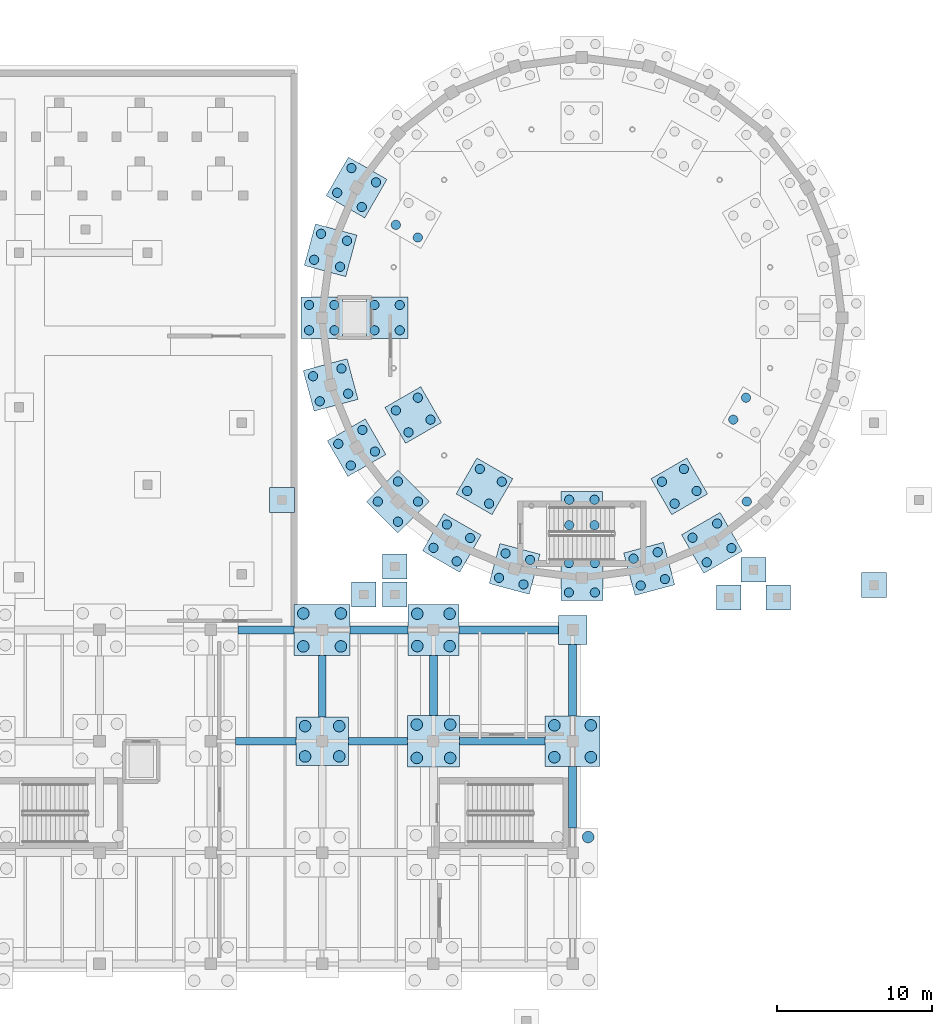
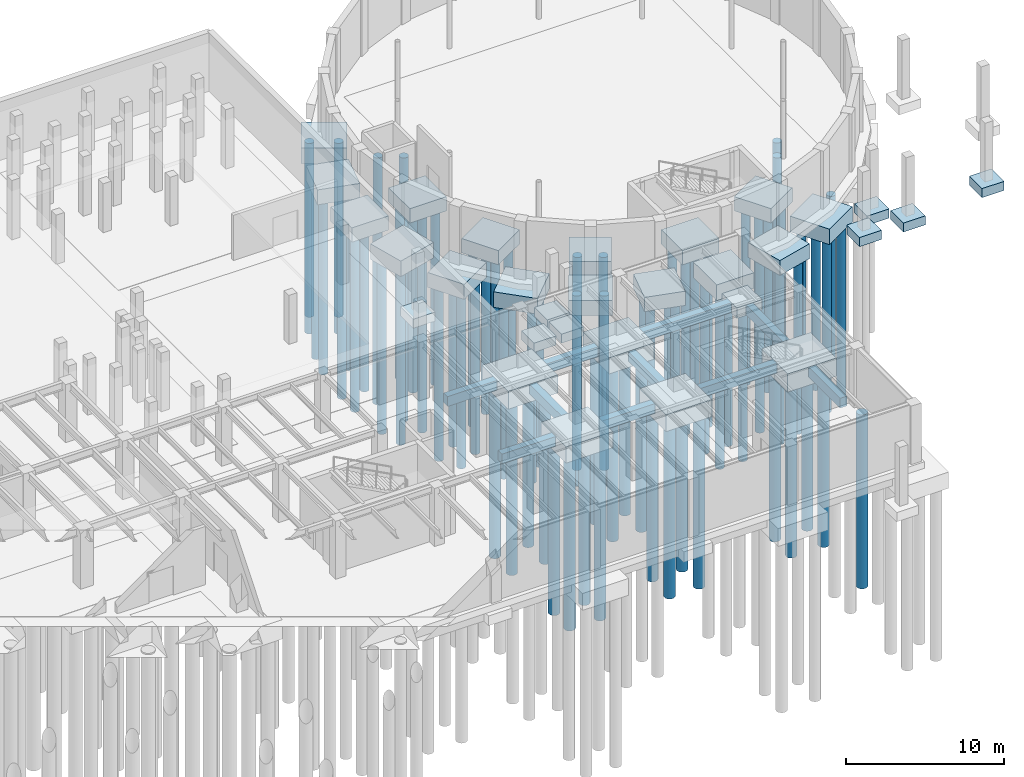
# One storey, part 5 of 26: 90 piles, 40 footings.
"""IFC4 building model written with IfcOpenShell, lengths in metres."""

from ifc_helpers import new_model, si_unit, direction, frame, origin, origin_2d, place, context, subcontext, project, spatial, rectangle, circle, extrude, material, material_profile, profile_set, type_object, element, save


model = new_model("IFC4")

# Units and contexts
model_context = context("Model", 3, precision=1e-05, world=origin(), true_north=direction((0.0, 1.0)))
body_context = subcontext(model_context, "Body", "Model", "MODEL_VIEW")
ifc_project = project(units=[si_unit("LENGTHUNIT", "METRE"), si_unit("AREAUNIT", "SQUARE_METRE"), si_unit("VOLUMEUNIT", "CUBIC_METRE"), si_unit("PLANEANGLEUNIT", "RADIAN"), si_unit("MASSUNIT", "GRAM", prefix="KILO")], contexts=[model_context])

# Site, building, storey
site_placement = place(None, origin())
site = spatial("IfcSite", under=ifc_project, at=site_placement, CompositionType="ELEMENT")
building_placement = place(site_placement, origin())
building = spatial("IfcBuilding", under=site, at=building_placement, Name="Kandorven Conservatory and Botanical Research Centre", CompositionType="ELEMENT")
storey_placement = place(building_placement, frame((0.0, 0.0, -4.800048828125)))
storey = spatial("IfcBuildingStorey", under=building, at=storey_placement, Name="B01", CompositionType="ELEMENT", Elevation=-4.800048828125)

# Footings
ifc_material_1 = material(Name="Concrete C32/40 (M40)", Category="concrete")
ifc_material_profile_1 = material_profile(ifc_material_1, rectangle(XDim=0.5, YDim=0.75, at=origin_2d()))
ifc_profile_set_1 = profile_set([ifc_material_profile_1], Name="Concrete C32/40 (M40)")
footing_type_1 = type_object("IfcFootingType", Name="GroundBeam_GB-02", PredefinedType="FOOTING_BEAM", material=ifc_profile_set_1)
footing_1_placement = place(storey_placement, frame((65.199951171875, 20.39990234375, -0.875), z_axis=(1.0, 0.0, 0.0), x_axis=(0.0, 1.0, 0.0)))
element("IfcFooting", 1, at=footing_1_placement, inside=storey, type_object=footing_type_1, Name="Ground tie beam GB-02 X-081", PredefinedType="FOOTING_BEAM", context=body_context, shape_type="SweptSolid", body=[
    extrude(rectangle(XDim=0.5, YDim=0.75, at=origin_2d()), origin(), (0.0, 0.0, 1.0), 3.900146484375),
])
footing_2_placement = place(storey_placement, frame((65.375, 27.60009765625, -0.875), z_axis=(1.0, 0.0, 0.0), x_axis=(0.0, 1.0, 0.0)))
element("IfcFooting", 2, at=footing_2_placement, inside=storey, type_object=footing_type_1, Name="Ground tie beam GB-02 X-083", PredefinedType="FOOTING_BEAM", context=body_context, shape_type="SweptSolid", body=[
    extrude(rectangle(XDim=0.5, YDim=0.75, at=origin_2d()), origin(), (0.0, 0.0, 1.0), 3.614990234375),
])
footing_3_placement = place(storey_placement, frame((72.5, 20.39990234375, -0.875), z_axis=(1.0, 0.0, 0.0), x_axis=(0.0, 1.0, 0.0)))
element("IfcFooting", 3, at=footing_3_placement, inside=storey, type_object=footing_type_1, Name="Ground tie beam GB-02 X-088", PredefinedType="FOOTING_BEAM", context=body_context, shape_type="SweptSolid", body=[
    extrude(rectangle(XDim=0.5, YDim=0.75, at=origin_2d()), origin(), (0.0, 0.0, 1.0), 3.824951171875),
])
footing_4_placement = place(storey_placement, frame((70.800048828125, 21.97509765625, -0.875), z_axis=(0.0, 1.0, 0.0), x_axis=(-1.0, 0.0, 0.0)))
element("IfcFooting", 4, at=footing_4_placement, inside=storey, type_object=footing_type_1, Name="Ground tie beam GB-02 Y-089", PredefinedType="FOOTING_BEAM", context=body_context, shape_type="SweptSolid", body=[
    extrude(rectangle(XDim=0.5, YDim=0.75, at=origin_2d()), origin(), (0.0, 0.0, 1.0), 3.96484375),
])
footing_5_placement = place(storey_placement, frame((72.610107421875, 27.60009765625, -0.875), z_axis=(1.0, 0.0, 0.0), x_axis=(0.0, 1.0, 0.0)))
element("IfcFooting", 5, at=footing_5_placement, inside=storey, type_object=footing_type_1, Name="Ground tie beam GB-02 X-090", PredefinedType="FOOTING_BEAM", context=body_context, shape_type="SweptSolid", body=[
    extrude(rectangle(XDim=0.5, YDim=0.75, at=origin_2d()), origin(), (0.0, 0.0, 1.0), 3.75),
])
footing_6_placement = place(storey_placement, frame((79.675048828125, 20.39990234375, -0.875), z_axis=(1.0, 0.0, 0.0), x_axis=(0.0, 1.0, 0.0)))
element("IfcFooting", 6, at=footing_6_placement, inside=storey, type_object=footing_type_1, Name="Ground tie beam GB-02 X-095", PredefinedType="FOOTING_BEAM", context=body_context, shape_type="SweptSolid", body=[
    extrude(rectangle(XDim=0.5, YDim=0.75, at=origin_2d()), origin(), (0.0, 0.0, 1.0), 5.550048828125),
])
footing_7_placement = place(storey_placement, frame((78.0, 22.074951171875, -0.875), z_axis=(0.0, 1.0, 0.0), x_axis=(-1.0, 0.0, 0.0)))
element("IfcFooting", 7, at=footing_7_placement, inside=storey, type_object=footing_type_1, Name="Ground tie beam GB-02 Y-096", PredefinedType="FOOTING_BEAM", context=body_context, shape_type="SweptSolid", body=[
    extrude(rectangle(XDim=0.5, YDim=0.75, at=origin_2d()), origin(), (0.0, 0.0, 1.0), 3.885009765625),
])
footing_8_placement = place(storey_placement, frame((79.639892578125, 27.60009765625, -0.875), z_axis=(1.0, 0.0, 0.0), x_axis=(0.0, 1.0, 0.0)))
element("IfcFooting", 8, at=footing_8_placement, inside=storey, type_object=footing_type_1, Name="Ground tie beam GB-02 X-097", PredefinedType="FOOTING_BEAM", context=body_context, shape_type="SweptSolid", body=[
    extrude(rectangle(XDim=0.5, YDim=0.75, at=origin_2d()), origin(), (0.0, 0.0, 1.0), 6.43505859375),
])
footing_9_placement = place(storey_placement, frame((87.0, 14.800048828125, -0.875), z_axis=(0.0, 1.0, 0.0), x_axis=(-1.0, 0.0, 0.0)))
element("IfcFooting", 9, at=footing_9_placement, inside=storey, type_object=footing_type_1, Name="Ground tie beam GB-02 Y-099", PredefinedType="FOOTING_BEAM", context=body_context, shape_type="SweptSolid", body=[
    extrude(rectangle(XDim=0.5, YDim=0.75, at=origin_2d()), origin(), (0.0, 0.0, 1.0), 3.974853515625),
])
footing_10_placement = place(storey_placement, frame((87.0, 22.02490234375, -0.875), z_axis=(0.0, 1.0, 0.0), x_axis=(-1.0, 0.0, 0.0)))
element("IfcFooting", 10, at=footing_10_placement, inside=storey, type_object=footing_type_1, Name="Ground tie beam GB-02 Y-100", PredefinedType="FOOTING_BEAM", context=body_context, shape_type="SweptSolid", body=[
    extrude(rectangle(XDim=0.5, YDim=0.75, at=origin_2d()), origin(), (0.0, 0.0, 1.0), 4.650146484375),
])
ifc_material_2 = material(Name="Concrete C32/40 (M40)", Category="concrete")
footing_type_2 = type_object("IfcFootingType", Name="PadFooting_PF-02", PredefinedType="PAD_FOOTING", material=ifc_material_2)
footing_11_placement = place(storey_placement, frame((87.0, 27.60009765625, -1.2998046875), z_axis=(0.0, 0.0, 1.0), x_axis=(1.0, 0.0, 0.0)))
element("IfcFooting", 11, at=footing_11_placement, inside=storey, type_object=footing_type_2, Name="Pad footing PF-02 at V-7-4", PredefinedType="PAD_FOOTING", context=body_context, shape_type="SweptSolid", body=[
    extrude(rectangle(XDim=1.85009765625, YDim=1.85009765625, at=origin_2d()), origin(), (0.0, 0.0, 1.0), 0.800048828125),
])
ifc_material_3 = material(Name="Concrete C32/40 (M40)", Category="concrete")
footing_type_3 = type_object("IfcFootingType", Name="PadFooting_PF-04", PredefinedType="PAD_FOOTING", material=ifc_material_3)
for number, where, z_axis, x_axis, name in (
    (12, (68.199951171875, 36.0, -0.69970703125), (0.0, 0.0, 1.0), (1.0, 0.0, 0.0), "Grade apron pad footing SLAB-EXT-EAST-COURT-2"),
    (13, (106.5, 30.5, -0.69970703125), (0.0, 0.0, 1.0), (1.0, 0.0, 0.0), "Grade apron pad footing SLAB-EXT-SE-COURT-1"),
    (14, (73.5, 29.89990234375, -0.69970703125), (0.0, 0.0, 1.0), (1.0, 0.0, 0.0), "Grade apron pad footing SLAB-EXT-CON-SW-PAD-1"),
    (15, (75.5, 29.89990234375, -0.69970703125), (0.0, 0.0, 1.0), (1.0, 0.0, 0.0), "Grade apron pad footing SLAB-EXT-CON-SW-PAD-2"),
    (16, (75.5, 31.699951171875, -0.69970703125), (0.0, 0.0, 1.0), (1.0, 0.0, 0.0), "Grade apron pad footing SLAB-EXT-CON-SW-PAD-3"),
    (17, (97.10009765625, 29.699951171875, -0.69970703125), (0.0, 0.0, 1.0), (1.0, 0.0, 0.0), "Grade apron pad footing SLAB-EXT-CON-SE-PAD-1"),
    (18, (100.300048828125, 29.699951171875, -0.69970703125), (0.0, 0.0, 1.0), (1.0, 0.0, 0.0), "Grade apron pad footing SLAB-EXT-CON-SE-PAD-2"),
    (19, (98.699951171875, 31.5, -0.69970703125), (0.0, 0.0, 1.0), (1.0, 0.0, 0.0), "Grade apron pad footing SLAB-EXT-CON-SE-PAD-3"),
):
    element("IfcFooting", number, at=place(storey_placement, frame(where, z_axis=z_axis, x_axis=x_axis)), inside=storey, type_object=footing_type_3, Name=name, PredefinedType="PAD_FOOTING", context=body_context, shape_type="SweptSolid", body=[
        extrude(rectangle(XDim=1.60009765625, YDim=1.60009765625, at=origin_2d()), origin(), (0.0, 0.0, 1.0), 0.699951171875),
    ])
ifc_material_4 = material(Name="Concrete C32/40 (M40)", Category="concrete")
footing_type_4 = type_object("IfcFootingType", Name="PileCap_PC-06", PredefinedType="PILE_CAP", material=ifc_material_4)
footing_12_placement = place(storey_placement, frame((78.0, 20.39990234375, -1.7998046875), z_axis=(0.0, 0.0, 1.0), x_axis=(1.0, 0.0, 0.0)))
element("IfcFooting", 20, at=footing_12_placement, inside=storey, type_object=footing_type_4, Name="Pile cap PC-06 at V-6-3", PredefinedType="PILE_CAP", context=body_context, shape_type="SweptSolid", body=[
    extrude(rectangle(XDim=3.35009765625, YDim=3.35009765625, at=origin_2d()), origin(), (0.0, 0.0, 1.0), 1.300048828125),
])
ifc_material_5 = material(Name="Concrete C32/40 (M40)", Category="concrete")
footing_type_5 = type_object("IfcFootingType", Name="PileCap_PC-07", PredefinedType="PILE_CAP", material=ifc_material_5)
footing_13_placement = place(storey_placement, frame((78.0, 27.60009765625, -1.75), z_axis=(0.0, 0.0, 1.0), x_axis=(1.0, 0.0, 0.0)))
element("IfcFooting", 21, at=footing_13_placement, inside=storey, type_object=footing_type_5, Name="Pile cap PC-07 at V-6-4", PredefinedType="PILE_CAP", context=body_context, shape_type="SweptSolid", body=[
    extrude(rectangle(XDim=3.280029296875, YDim=3.280029296875, at=origin_2d()), origin(), (0.0, 0.0, 1.0), 1.25),
])
ifc_material_6 = material(Name="Concrete C32/40 (M40)", Category="concrete")
footing_type_6 = type_object("IfcFootingType", Name="PileCap_PC-09", PredefinedType="PILE_CAP", material=ifc_material_6)
for number, where, z_axis, x_axis, name in (
    (22, (73.029052734375, 56.21240234375, -1.69970703125), (0.0, 0.0, 1.0), (-0.866025403784, 0.5, 0.0), "Pile cap PC-09 at D-11"),
    (23, (75.702880859375, 35.90283203125, -1.69970703125), (0.0, 0.0, 1.0), (-0.707106781187, -0.707106781187, 0.0), "Pile cap PC-09 at D-16"),
    (24, (96.012451171875, 33.22900390625, -1.69970703125), (0.0, 0.0, 1.0), (0.5, -0.866025403784, 0.0), "Pile cap PC-09 at D-21"),
):
    element("IfcFooting", number, at=place(storey_placement, frame(where, z_axis=z_axis, x_axis=x_axis)), inside=storey, type_object=footing_type_6, Name=name, PredefinedType="PILE_CAP", context=body_context, shape_type="SweptSolid", body=[
        extrude(rectangle(XDim=2.8798828125, YDim=2.8798828125, at=origin_2d()), origin(), (0.0, 0.0, 1.0), 1.199951171875),
    ])
ifc_material_7 = material(Name="Concrete C32/40 (M40)", Category="concrete")
footing_type_7 = type_object("IfcFootingType", Name="PileCap_PC-10", PredefinedType="PILE_CAP", material=ifc_material_7)
for number, where, z_axis, x_axis, name in (
    (25, (71.348388671875, 52.154541015625, -1.64990234375), (0.0, 0.0, 1.0), (-0.965925826289, 0.258819045103, 0.0), "Pile cap PC-10 at D-12"),
    (26, (79.1875, 33.22900390625, -1.64990234375), (0.0, 0.0, 1.0), (-0.5, -0.866025403784, 0.0), "Pile cap PC-10 at D-17"),
):
    element("IfcFooting", number, at=place(storey_placement, frame(where, z_axis=z_axis, x_axis=x_axis)), inside=storey, type_object=footing_type_7, Name=name, PredefinedType="PILE_CAP", context=body_context, shape_type="SweptSolid", body=[
        extrude(rectangle(XDim=2.780029296875, YDim=2.780029296875, at=origin_2d()), origin(), (0.0, 0.0, 1.0), 1.14990234375),
    ])
ifc_material_8 = material(Name="Concrete C32/40 (M40)", Category="concrete")
footing_type_8 = type_object("IfcFootingType", Name="PileCap_PC-11", PredefinedType="PILE_CAP", material=ifc_material_8)
for number, where, z_axis, x_axis, name in (
    (27, (70.77490234375, 47.800048828125, -1.60009765625), (0.0, 0.0, 1.0), (-1.0, 0.0, 0.0), "Pile cap PC-11 at D-13"),
    (28, (83.245361328125, 31.54833984375, -1.60009765625), (0.0, 0.0, 1.0), (-0.258819045103, -0.965925826289, 0.0), "Pile cap PC-11 at D-18"),
    (29, (75.0, 47.800048828125, -1.60009765625), (0.0, 0.0, 1.0), (-1.0, 0.0, 0.0), "Pile cap PC-11 at DW-07"),
    (30, (76.68798828125, 41.5, -1.60009765625), (0.0, 0.0, 1.0), (-0.866025403784, -0.5, 0.0), "Pile cap PC-11 at DW-08"),
    (31, (81.300048828125, 36.88818359375, -1.60009765625), (0.0, 0.0, 1.0), (-0.5, -0.866025403784, 0.0), "Pile cap PC-11 at DW-09"),
    (32, (87.60009765625, 35.199951171875, -1.60009765625), (0.0, 0.0, 1.0), (0.0, -1.0, 0.0), "Pile cap PC-11 at DW-10"),
    (33, (93.89990234375, 36.88818359375, -1.60009765625), (0.0, 0.0, 1.0), (0.5, -0.866025403784, 0.0), "Pile cap PC-11 at DW-11"),
):
    element("IfcFooting", number, at=place(storey_placement, frame(where, z_axis=z_axis, x_axis=x_axis)), inside=storey, type_object=footing_type_8, Name=name, PredefinedType="PILE_CAP", context=body_context, shape_type="SweptSolid", body=[
        extrude(rectangle(XDim=2.679931640625, YDim=2.679931640625, at=origin_2d()), origin(), (0.0, 0.0, 1.0), 1.10009765625),
    ])
ifc_material_9 = material(Name="Concrete C32/40 (M40)", Category="concrete")
footing_type_9 = type_object("IfcFootingType", Name="PileCap_PC-14", PredefinedType="PILE_CAP", material=ifc_material_9)
footing_14_placement = place(storey_placement, frame((87.0, 20.39990234375, -1.89990234375), z_axis=(0.0, 0.0, 1.0), x_axis=(1.0, 0.0, 0.0)))
element("IfcFooting", 34, at=footing_14_placement, inside=storey, type_object=footing_type_9, Name="Pile cap PC-14 at V-7-3", PredefinedType="PILE_CAP", context=body_context, shape_type="SweptSolid", body=[
    extrude(rectangle(XDim=3.550048828125, YDim=3.25, at=origin_2d()), origin(), (0.0, 0.0, 1.0), 1.39990234375),
])
ifc_material_10 = material(Name="Concrete C32/40 (M40)", Category="concrete")
footing_type_10 = type_object("IfcFootingType", Name="PileCap_PC-16", PredefinedType="PILE_CAP", material=ifc_material_10)
footing_15_placement = place(storey_placement, frame((70.800048828125, 20.39990234375, -1.75), z_axis=(0.0, 0.0, 1.0), x_axis=(1.0, 0.0, 0.0)))
element("IfcFooting", 35, at=footing_15_placement, inside=storey, type_object=footing_type_10, Name="Pile cap PC-16 at V-5-3", PredefinedType="PILE_CAP", context=body_context, shape_type="SweptSolid", body=[
    extrude(rectangle(XDim=3.39990234375, YDim=3.14990234375, at=origin_2d()), origin(), (0.0, 0.0, 1.0), 1.25),
])
ifc_material_11 = material(Name="Concrete C32/40 (M40)", Category="concrete")
footing_type_11 = type_object("IfcFootingType", Name="PileCap_PC-17", PredefinedType="PILE_CAP", material=ifc_material_11)
for number, where, z_axis, x_axis, name in (
    (36, (71.348388671875, 43.4453125, -1.69970703125), (0.0, 0.0, 1.0), (-0.965925826289, -0.258819045103, 0.0), "Pile cap PC-17 at D-14"),
    (37, (87.60009765625, 30.97509765625, -1.69970703125), (0.0, 0.0, 1.0), (0.0, -1.0, 0.0), "Pile cap PC-17 at D-19"),
):
    element("IfcFooting", number, at=place(storey_placement, frame(where, z_axis=z_axis, x_axis=x_axis)), inside=storey, type_object=footing_type_11, Name=name, PredefinedType="PILE_CAP", context=body_context, shape_type="SweptSolid", body=[
        extrude(rectangle(XDim=2.93994140625, YDim=2.719970703125, at=origin_2d()), origin(), (0.0, 0.0, 1.0), 1.199951171875),
    ])
ifc_material_12 = material(Name="Concrete C32/40 (M40)", Category="concrete")
footing_type_12 = type_object("IfcFootingType", Name="PileCap_PC-18", PredefinedType="PILE_CAP", material=ifc_material_12)
for number, where, z_axis, x_axis, name in (
    (38, (73.029052734375, 39.387451171875, -1.64990234375), (0.0, 0.0, 1.0), (-0.866025403784, -0.5, 0.0), "Pile cap PC-18 at D-15"),
    (39, (91.95458984375, 31.54833984375, -1.64990234375), (0.0, 0.0, 1.0), (0.258819045103, -0.965925826289, 0.0), "Pile cap PC-18 at D-20"),
):
    element("IfcFooting", number, at=place(storey_placement, frame(where, z_axis=z_axis, x_axis=x_axis)), inside=storey, type_object=footing_type_12, Name=name, PredefinedType="PILE_CAP", context=body_context, shape_type="SweptSolid", body=[
        extrude(rectangle(XDim=2.840087890625, YDim=2.659912109375, at=origin_2d()), origin(), (0.0, 0.0, 1.0), 1.14990234375),
    ])
ifc_material_13 = material(Name="Concrete C32/40 (M40)", Category="concrete")
footing_type_13 = type_object("IfcFootingType", Name="PileCap_PC-20", PredefinedType="PILE_CAP", material=ifc_material_13)
footing_16_placement = place(storey_placement, frame((70.800048828125, 27.60009765625, -1.8798828125), z_axis=(0.0, 0.0, 1.0), x_axis=(1.0, 0.0, 0.0)))
element("IfcFooting", 40, at=footing_16_placement, inside=storey, type_object=footing_type_13, Name="Pile cap PC-20 at V-5-4", PredefinedType="PILE_CAP", context=body_context, shape_type="SweptSolid", body=[
    extrude(rectangle(XDim=3.6201171875, YDim=3.320068359375, at=origin_2d()), origin(), (0.0, 0.0, 1.0), 1.3798828125),
])

# Piles
ifc_material_14 = material(Name="Concrete C32/40 (M40)", Category="concrete")
ifc_material_profile_2 = material_profile(ifc_material_14, circle(Radius=0.300048828125, at=origin_2d()))
ifc_profile_set_2 = profile_set([ifc_material_profile_2], Name="Concrete C32/40 (M40)")
pile_type_1 = type_object("IfcPileType", Name="Pile_PILE_D600", PredefinedType="BORED", material=ifc_profile_set_2)
for number, where, z_axis, x_axis, name in (
    (41, (74.285888671875, 56.54931640625, -1.599853515625), (0.0, 0.0, -1.0), (1.0, 0.0, 0.0), "Bored pile D-11-1"),
    (42, (73.36572265625, 54.955810546875, -1.599853515625), (0.0, 0.0, -1.0), (1.0, 0.0, 0.0), "Bored pile D-11-2"),
    (43, (72.6923828125, 57.46923828125, -1.599853515625), (0.0, 0.0, -1.0), (1.0, 0.0, 0.0), "Bored pile D-11-3"),
    (44, (71.7724609375, 55.875732421875, -1.599853515625), (0.0, 0.0, -1.0), (1.0, 0.0, 0.0), "Bored pile D-11-4"),
):
    element("IfcPile", number, at=place(storey_placement, frame(where, z_axis=z_axis, x_axis=x_axis)), inside=storey, type_object=pile_type_1, Name=name, PredefinedType="BORED", context=body_context, shape_type="SweptSolid", body=[
        extrude(circle(Radius=0.300048828125, at=origin_2d()), origin(), (0.0, 0.0, 1.0), 13.39990234375),
    ])
for number, where, z_axis, x_axis, name in (
    (45, (72.413818359375, 52.769775390625, -1.550048828125), (0.0, 0.0, -1.0), (1.0, 0.0, 0.0), "Bored pile D-12-1"),
    (46, (71.96337890625, 51.089111328125, -1.550048828125), (0.0, 0.0, -1.0), (1.0, 0.0, 0.0), "Bored pile D-12-2"),
    (47, (70.733154296875, 53.22021484375, -1.550048828125), (0.0, 0.0, -1.0), (1.0, 0.0, 0.0), "Bored pile D-12-3"),
    (48, (70.28271484375, 51.539306640625, -1.550048828125), (0.0, 0.0, -1.0), (1.0, 0.0, 0.0), "Bored pile D-12-4"),
):
    element("IfcPile", number, at=place(storey_placement, frame(where, z_axis=z_axis, x_axis=x_axis)), inside=storey, type_object=pile_type_1, Name=name, PredefinedType="BORED", context=body_context, shape_type="SweptSolid", body=[
        extrude(circle(Radius=0.300048828125, at=origin_2d()), origin(), (0.0, 0.0, 1.0), 13.449951171875),
    ])
for number, where, z_axis, x_axis, name in (
    (49, (71.594970703125, 48.6201171875, -1.5), (0.0, 0.0, -1.0), (1.0, 0.0, 0.0), "Bored pile D-13-1"),
    (50, (71.594970703125, 46.97998046875, -1.5), (0.0, 0.0, -1.0), (1.0, 0.0, 0.0), "Bored pile D-13-2"),
    (51, (69.955078125, 48.6201171875, -1.5), (0.0, 0.0, -1.0), (1.0, 0.0, 0.0), "Bored pile D-13-3"),
    (52, (69.955078125, 46.97998046875, -1.5), (0.0, 0.0, -1.0), (1.0, 0.0, 0.0), "Bored pile D-13-4"),
):
    element("IfcPile", number, at=place(storey_placement, frame(where, z_axis=z_axis, x_axis=x_axis)), inside=storey, type_object=pile_type_1, Name=name, PredefinedType="BORED", context=body_context, shape_type="SweptSolid", body=[
        extrude(circle(Radius=0.300048828125, at=origin_2d()), origin(), (0.0, 0.0, 1.0), 13.5),
    ])
for number, where, z_axis, x_axis, name in (
    (53, (72.048583984375, 44.502685546875, -1.599853515625), (0.0, 0.0, -1.0), (1.0, 0.0, 0.0), "Bored pile D-14-1"),
    (54, (72.4833984375, 42.8798828125, -1.599853515625), (0.0, 0.0, -1.0), (1.0, 0.0, 0.0), "Bored pile D-14-2"),
    (55, (70.21337890625, 44.010986328125, -1.599853515625), (0.0, 0.0, -1.0), (1.0, 0.0, 0.0), "Bored pile D-14-3"),
    (56, (70.648193359375, 42.38818359375, -1.599853515625), (0.0, 0.0, -1.0), (1.0, 0.0, 0.0), "Bored pile D-14-4"),
):
    element("IfcPile", number, at=place(storey_placement, frame(where, z_axis=z_axis, x_axis=x_axis)), inside=storey, type_object=pile_type_1, Name=name, PredefinedType="BORED", context=body_context, shape_type="SweptSolid", body=[
        extrude(circle(Radius=0.300048828125, at=origin_2d()), origin(), (0.0, 0.0, 1.0), 13.39990234375),
    ])
for number, where, z_axis, x_axis, name in (
    (57, (73.403564453125, 40.5390625, -1.550048828125), (0.0, 0.0, -1.0), (1.0, 0.0, 0.0), "Bored pile D-15-1"),
    (58, (74.21337890625, 39.135986328125, -1.550048828125), (0.0, 0.0, -1.0), (1.0, 0.0, 0.0), "Bored pile D-15-2"),
    (59, (71.8447265625, 39.638916015625, -1.550048828125), (0.0, 0.0, -1.0), (1.0, 0.0, 0.0), "Bored pile D-15-3"),
    (60, (72.65478515625, 38.236083984375, -1.550048828125), (0.0, 0.0, -1.0), (1.0, 0.0, 0.0), "Bored pile D-15-4"),
):
    element("IfcPile", number, at=place(storey_placement, frame(where, z_axis=z_axis, x_axis=x_axis)), inside=storey, type_object=pile_type_1, Name=name, PredefinedType="BORED", context=body_context, shape_type="SweptSolid", body=[
        extrude(circle(Radius=0.300048828125, at=origin_2d()), origin(), (0.0, 0.0, 1.0), 13.449951171875),
    ])
for number, where, z_axis, x_axis, name in (
    (61, (75.702880859375, 37.2041015625, -1.599853515625), (0.0, 0.0, -1.0), (1.0, 0.0, 0.0), "Bored pile D-16-1"),
    (62, (77.00390625, 35.90283203125, -1.599853515625), (0.0, 0.0, -1.0), (1.0, 0.0, 0.0), "Bored pile D-16-2"),
    (63, (74.40185546875, 35.90283203125, -1.599853515625), (0.0, 0.0, -1.0), (1.0, 0.0, 0.0), "Bored pile D-16-3"),
    (64, (75.702880859375, 34.601806640625, -1.599853515625), (0.0, 0.0, -1.0), (1.0, 0.0, 0.0), "Bored pile D-16-4"),
):
    element("IfcPile", number, at=place(storey_placement, frame(where, z_axis=z_axis, x_axis=x_axis)), inside=storey, type_object=pile_type_1, Name=name, PredefinedType="BORED", context=body_context, shape_type="SweptSolid", body=[
        extrude(circle(Radius=0.300048828125, at=origin_2d()), origin(), (0.0, 0.0, 1.0), 13.39990234375),
    ])
for number, where, z_axis, x_axis, name in (
    (65, (78.869140625, 34.41748046875, -1.550048828125), (0.0, 0.0, -1.0), (1.0, 0.0, 0.0), "Bored pile D-17-1"),
    (66, (80.3759765625, 33.547607421875, -1.550048828125), (0.0, 0.0, -1.0), (1.0, 0.0, 0.0), "Bored pile D-17-2"),
    (67, (77.9990234375, 32.91064453125, -1.550048828125), (0.0, 0.0, -1.0), (1.0, 0.0, 0.0), "Bored pile D-17-3"),
    (68, (79.505859375, 32.040771484375, -1.550048828125), (0.0, 0.0, -1.0), (1.0, 0.0, 0.0), "Bored pile D-17-4"),
):
    element("IfcPile", number, at=place(storey_placement, frame(where, z_axis=z_axis, x_axis=x_axis)), inside=storey, type_object=pile_type_1, Name=name, PredefinedType="BORED", context=body_context, shape_type="SweptSolid", body=[
        extrude(circle(Radius=0.300048828125, at=origin_2d()), origin(), (0.0, 0.0, 1.0), 13.449951171875),
    ])
for number, where, z_axis, x_axis, name in (
    (69, (82.66552734375, 32.552490234375, -1.5), (0.0, 0.0, -1.0), (1.0, 0.0, 0.0), "Bored pile D-18-1"),
    (70, (84.249755859375, 32.128173828125, -1.5), (0.0, 0.0, -1.0), (1.0, 0.0, 0.0), "Bored pile D-18-2"),
    (71, (82.2412109375, 30.968505859375, -1.5), (0.0, 0.0, -1.0), (1.0, 0.0, 0.0), "Bored pile D-18-3"),
    (72, (83.8251953125, 30.5439453125, -1.5), (0.0, 0.0, -1.0), (1.0, 0.0, 0.0), "Bored pile D-18-4"),
):
    element("IfcPile", number, at=place(storey_placement, frame(where, z_axis=z_axis, x_axis=x_axis)), inside=storey, type_object=pile_type_1, Name=name, PredefinedType="BORED", context=body_context, shape_type="SweptSolid", body=[
        extrude(circle(Radius=0.300048828125, at=origin_2d()), origin(), (0.0, 0.0, 1.0), 13.5),
    ])
for number, where, z_axis, x_axis, name in (
    (73, (86.760009765625, 31.925048828125, -1.599853515625), (0.0, 0.0, -1.0), (1.0, 0.0, 0.0), "Bored pile D-19-1"),
    (74, (88.43994140625, 31.925048828125, -1.599853515625), (0.0, 0.0, -1.0), (1.0, 0.0, 0.0), "Bored pile D-19-2"),
    (75, (86.760009765625, 30.02490234375, -1.599853515625), (0.0, 0.0, -1.0), (1.0, 0.0, 0.0), "Bored pile D-19-3"),
    (76, (88.43994140625, 30.02490234375, -1.599853515625), (0.0, 0.0, -1.0), (1.0, 0.0, 0.0), "Bored pile D-19-4"),
):
    element("IfcPile", number, at=place(storey_placement, frame(where, z_axis=z_axis, x_axis=x_axis)), inside=storey, type_object=pile_type_1, Name=name, PredefinedType="BORED", context=body_context, shape_type="SweptSolid", body=[
        extrude(circle(Radius=0.300048828125, at=origin_2d()), origin(), (0.0, 0.0, 1.0), 13.39990234375),
    ])
for number, where, z_axis, x_axis, name in (
    (77, (90.939208984375, 32.2080078125, -1.550048828125), (0.0, 0.0, -1.0), (1.0, 0.0, 0.0), "Bored pile D-20-1"),
    (78, (92.504150390625, 32.627197265625, -1.550048828125), (0.0, 0.0, -1.0), (1.0, 0.0, 0.0), "Bored pile D-20-2"),
    (79, (91.405029296875, 30.46923828125, -1.550048828125), (0.0, 0.0, -1.0), (1.0, 0.0, 0.0), "Bored pile D-20-3"),
    (80, (92.969970703125, 30.888671875, -1.550048828125), (0.0, 0.0, -1.0), (1.0, 0.0, 0.0), "Bored pile D-20-4"),
):
    element("IfcPile", number, at=place(storey_placement, frame(where, z_axis=z_axis, x_axis=x_axis)), inside=storey, type_object=pile_type_1, Name=name, PredefinedType="BORED", context=body_context, shape_type="SweptSolid", body=[
        extrude(circle(Radius=0.300048828125, at=origin_2d()), origin(), (0.0, 0.0, 1.0), 13.449951171875),
    ])
for number, where, z_axis, x_axis, name in (
    (81, (94.755859375, 33.56591796875, -1.599853515625), (0.0, 0.0, -1.0), (1.0, 0.0, 0.0), "Bored pile D-21-1"),
    (82, (96.34912109375, 34.48583984375, -1.599853515625), (0.0, 0.0, -1.0), (1.0, 0.0, 0.0), "Bored pile D-21-2"),
    (83, (95.67578125, 31.972412109375, -1.599853515625), (0.0, 0.0, -1.0), (1.0, 0.0, 0.0), "Bored pile D-21-3"),
    (84, (97.269287109375, 32.892333984375, -1.599853515625), (0.0, 0.0, -1.0), (1.0, 0.0, 0.0), "Bored pile D-21-4"),
):
    element("IfcPile", number, at=place(storey_placement, frame(where, z_axis=z_axis, x_axis=x_axis)), inside=storey, type_object=pile_type_1, Name=name, PredefinedType="BORED", context=body_context, shape_type="SweptSolid", body=[
        extrude(circle(Radius=0.300048828125, at=origin_2d()), origin(), (0.0, 0.0, 1.0), 13.39990234375),
    ])
pile_1_placement = place(storey_placement, frame((98.2666015625, 35.90283203125, -1.550048828125), z_axis=(0.0, 0.0, -1.0), x_axis=(1.0, 0.0, 0.0)))
element("IfcPile", 85, at=pile_1_placement, inside=storey, type_object=pile_type_1, Name="Bored pile D-22-1", PredefinedType="BORED", context=body_context, shape_type="SweptSolid", body=[
    extrude(circle(Radius=0.300048828125, at=origin_2d()), origin(), (0.0, 0.0, 1.0), 13.449951171875),
])
for number, where, z_axis, x_axis, name in (
    (86, (76.98828125, 52.97998046875, -1.5), (0.0, 0.0, -1.0), (1.0, 0.0, 0.0), "Bored pile DW-06-2"),
    (87, (75.568115234375, 53.7998046875, -1.5), (0.0, 0.0, -1.0), (1.0, 0.0, 0.0), "Bored pile DW-06-4"),
    (88, (75.820068359375, 48.6201171875, -1.5), (0.0, 0.0, -1.0), (1.0, 0.0, 0.0), "Bored pile DW-07-1"),
    (89, (75.820068359375, 46.97998046875, -1.5), (0.0, 0.0, -1.0), (1.0, 0.0, 0.0), "Bored pile DW-07-2"),
    (90, (74.179931640625, 48.6201171875, -1.5), (0.0, 0.0, -1.0), (1.0, 0.0, 0.0), "Bored pile DW-07-3"),
    (91, (74.179931640625, 46.97998046875, -1.5), (0.0, 0.0, -1.0), (1.0, 0.0, 0.0), "Bored pile DW-07-4"),
    (92, (76.98828125, 42.6201171875, -1.5), (0.0, 0.0, -1.0), (1.0, 0.0, 0.0), "Bored pile DW-08-1"),
    (93, (77.80810546875, 41.199951171875, -1.5), (0.0, 0.0, -1.0), (1.0, 0.0, 0.0), "Bored pile DW-08-2"),
    (94, (75.568115234375, 41.800048828125, -1.5), (0.0, 0.0, -1.0), (1.0, 0.0, 0.0), "Bored pile DW-08-3"),
    (95, (76.387939453125, 40.3798828125, -1.5), (0.0, 0.0, -1.0), (1.0, 0.0, 0.0), "Bored pile DW-08-4"),
    (96, (81.0, 38.00830078125, -1.5), (0.0, 0.0, -1.0), (1.0, 0.0, 0.0), "Bored pile DW-09-1"),
    (97, (82.420166015625, 37.188232421875, -1.5), (0.0, 0.0, -1.0), (1.0, 0.0, 0.0), "Bored pile DW-09-2"),
    (98, (80.179931640625, 36.587890625, -1.5), (0.0, 0.0, -1.0), (1.0, 0.0, 0.0), "Bored pile DW-09-3"),
    (99, (81.60009765625, 35.76806640625, -1.5), (0.0, 0.0, -1.0), (1.0, 0.0, 0.0), "Bored pile DW-09-4"),
    (100, (86.780029296875, 36.02001953125, -1.5), (0.0, 0.0, -1.0), (1.0, 0.0, 0.0), "Bored pile DW-10-1"),
    (101, (88.419921875, 36.02001953125, -1.5), (0.0, 0.0, -1.0), (1.0, 0.0, 0.0), "Bored pile DW-10-2"),
    (102, (86.780029296875, 34.3798828125, -1.5), (0.0, 0.0, -1.0), (1.0, 0.0, 0.0), "Bored pile DW-10-3"),
    (103, (88.419921875, 34.3798828125, -1.5), (0.0, 0.0, -1.0), (1.0, 0.0, 0.0), "Bored pile DW-10-4"),
    (104, (92.77978515625, 37.188232421875, -1.5), (0.0, 0.0, -1.0), (1.0, 0.0, 0.0), "Bored pile DW-11-1"),
    (105, (94.2001953125, 38.00830078125, -1.5), (0.0, 0.0, -1.0), (1.0, 0.0, 0.0), "Bored pile DW-11-2"),
    (106, (93.599853515625, 35.76806640625, -1.5), (0.0, 0.0, -1.0), (1.0, 0.0, 0.0), "Bored pile DW-11-3"),
    (107, (95.02001953125, 36.587890625, -1.5), (0.0, 0.0, -1.0), (1.0, 0.0, 0.0), "Bored pile DW-11-4"),
    (108, (97.391845703125, 41.199951171875, -1.5), (0.0, 0.0, -1.0), (1.0, 0.0, 0.0), "Bored pile DW-12-1"),
    (109, (98.2119140625, 42.6201171875, -1.5), (0.0, 0.0, -1.0), (1.0, 0.0, 0.0), "Bored pile DW-12-2"),
):
    element("IfcPile", number, at=place(storey_placement, frame(where, z_axis=z_axis, x_axis=x_axis)), inside=storey, type_object=pile_type_1, Name=name, PredefinedType="BORED", context=body_context, shape_type="SweptSolid", body=[
        extrude(circle(Radius=0.300048828125, at=origin_2d()), origin(), (0.0, 0.0, 1.0), 13.5),
    ])
ifc_material_15 = material(Name="Concrete C32/40 (M40)", Category="concrete")
ifc_material_profile_3 = material_profile(ifc_material_15, circle(Radius=0.375, at=origin_2d()))
ifc_profile_set_3 = profile_set([ifc_material_profile_3], Name="Concrete C32/40 (M40)")
pile_type_2 = type_object("IfcPileType", Name="Pile_PILE_D750", PredefinedType="BORED", material=ifc_profile_set_3)
for number, where, z_axis, x_axis, name in (
    (110, (69.695068359375, 19.419921875, -1.64990234375), (0.0, 0.0, -1.0), (1.0, 0.0, 0.0), "Bored pile V-5-3-1"),
    (111, (69.695068359375, 21.3798828125, -1.64990234375), (0.0, 0.0, -1.0), (1.0, 0.0, 0.0), "Bored pile V-5-3-2"),
    (112, (71.905029296875, 19.419921875, -1.64990234375), (0.0, 0.0, -1.0), (1.0, 0.0, 0.0), "Bored pile V-5-3-3"),
    (113, (71.905029296875, 21.3798828125, -1.64990234375), (0.0, 0.0, -1.0), (1.0, 0.0, 0.0), "Bored pile V-5-3-4"),
):
    element("IfcPile", number, at=place(storey_placement, frame(where, z_axis=z_axis, x_axis=x_axis)), inside=storey, type_object=pile_type_2, Name=name, PredefinedType="BORED", context=body_context, shape_type="SweptSolid", body=[
        extrude(circle(Radius=0.375, at=origin_2d()), origin(), (0.0, 0.0, 1.0), 13.35009765625),
    ])
for number, where, z_axis, x_axis, name in (
    (114, (69.5849609375, 26.534912109375, -1.780029296875), (0.0, 0.0, -1.0), (1.0, 0.0, 0.0), "Bored pile V-5-4-1"),
    (115, (69.5849609375, 28.6650390625, -1.780029296875), (0.0, 0.0, -1.0), (1.0, 0.0, 0.0), "Bored pile V-5-4-2"),
    (116, (72.014892578125, 26.534912109375, -1.780029296875), (0.0, 0.0, -1.0), (1.0, 0.0, 0.0), "Bored pile V-5-4-3"),
    (117, (72.014892578125, 28.6650390625, -1.780029296875), (0.0, 0.0, -1.0), (1.0, 0.0, 0.0), "Bored pile V-5-4-4"),
):
    element("IfcPile", number, at=place(storey_placement, frame(where, z_axis=z_axis, x_axis=x_axis)), inside=storey, type_object=pile_type_2, Name=name, PredefinedType="BORED", context=body_context, shape_type="SweptSolid", body=[
        extrude(circle(Radius=0.375, at=origin_2d()), origin(), (0.0, 0.0, 1.0), 13.219970703125),
    ])
for number, where, z_axis, x_axis, name in (
    (118, (76.919921875, 19.320068359375, -1.699951171875), (0.0, 0.0, -1.0), (1.0, 0.0, 0.0), "Bored pile V-6-3-1"),
    (119, (76.919921875, 21.47998046875, -1.699951171875), (0.0, 0.0, -1.0), (1.0, 0.0, 0.0), "Bored pile V-6-3-2"),
    (120, (79.080078125, 19.320068359375, -1.699951171875), (0.0, 0.0, -1.0), (1.0, 0.0, 0.0), "Bored pile V-6-3-3"),
    (121, (79.080078125, 21.47998046875, -1.699951171875), (0.0, 0.0, -1.0), (1.0, 0.0, 0.0), "Bored pile V-6-3-4"),
):
    element("IfcPile", number, at=place(storey_placement, frame(where, z_axis=z_axis, x_axis=x_axis)), inside=storey, type_object=pile_type_2, Name=name, PredefinedType="BORED", context=body_context, shape_type="SweptSolid", body=[
        extrude(circle(Radius=0.375, at=origin_2d()), origin(), (0.0, 0.0, 1.0), 13.300048828125),
    ])
for number, where, z_axis, x_axis, name in (
    (122, (76.955078125, 26.554931640625, -1.64990234375), (0.0, 0.0, -1.0), (1.0, 0.0, 0.0), "Bored pile V-6-4-1"),
    (123, (76.955078125, 28.64501953125, -1.64990234375), (0.0, 0.0, -1.0), (1.0, 0.0, 0.0), "Bored pile V-6-4-2"),
    (124, (79.044921875, 26.554931640625, -1.64990234375), (0.0, 0.0, -1.0), (1.0, 0.0, 0.0), "Bored pile V-6-4-3"),
    (125, (79.044921875, 28.64501953125, -1.64990234375), (0.0, 0.0, -1.0), (1.0, 0.0, 0.0), "Bored pile V-6-4-4"),
):
    element("IfcPile", number, at=place(storey_placement, frame(where, z_axis=z_axis, x_axis=x_axis)), inside=storey, type_object=pile_type_2, Name=name, PredefinedType="BORED", context=body_context, shape_type="SweptSolid", body=[
        extrude(circle(Radius=0.375, at=origin_2d()), origin(), (0.0, 0.0, 1.0), 13.35009765625),
    ])
pile_2_placement = place(storey_placement, frame((88.0048828125, 14.205078125, -1.599853515625), z_axis=(0.0, 0.0, -1.0), x_axis=(1.0, 0.0, 0.0)))
element("IfcPile", 126, at=pile_2_placement, inside=storey, type_object=pile_type_2, Name="Bored pile V-7-2-4", PredefinedType="BORED", context=body_context, shape_type="SweptSolid", body=[
    extrude(circle(Radius=0.375, at=origin_2d()), origin(), (0.0, 0.0, 1.0), 13.39990234375),
])
for number, where, z_axis, x_axis, name in (
    (127, (85.820068359375, 19.3701171875, -1.800048828125), (0.0, 0.0, -1.0), (1.0, 0.0, 0.0), "Bored pile V-7-3-1"),
    (128, (85.820068359375, 21.429931640625, -1.800048828125), (0.0, 0.0, -1.0), (1.0, 0.0, 0.0), "Bored pile V-7-3-2"),
    (129, (88.179931640625, 19.3701171875, -1.800048828125), (0.0, 0.0, -1.0), (1.0, 0.0, 0.0), "Bored pile V-7-3-3"),
    (130, (88.179931640625, 21.429931640625, -1.800048828125), (0.0, 0.0, -1.0), (1.0, 0.0, 0.0), "Bored pile V-7-3-4"),
):
    element("IfcPile", number, at=place(storey_placement, frame(where, z_axis=z_axis, x_axis=x_axis)), inside=storey, type_object=pile_type_2, Name=name, PredefinedType="BORED", context=body_context, shape_type="SweptSolid", body=[
        extrude(circle(Radius=0.375, at=origin_2d()), origin(), (0.0, 0.0, 1.0), 13.199951171875),
    ])

save(model, "model.ifc")
